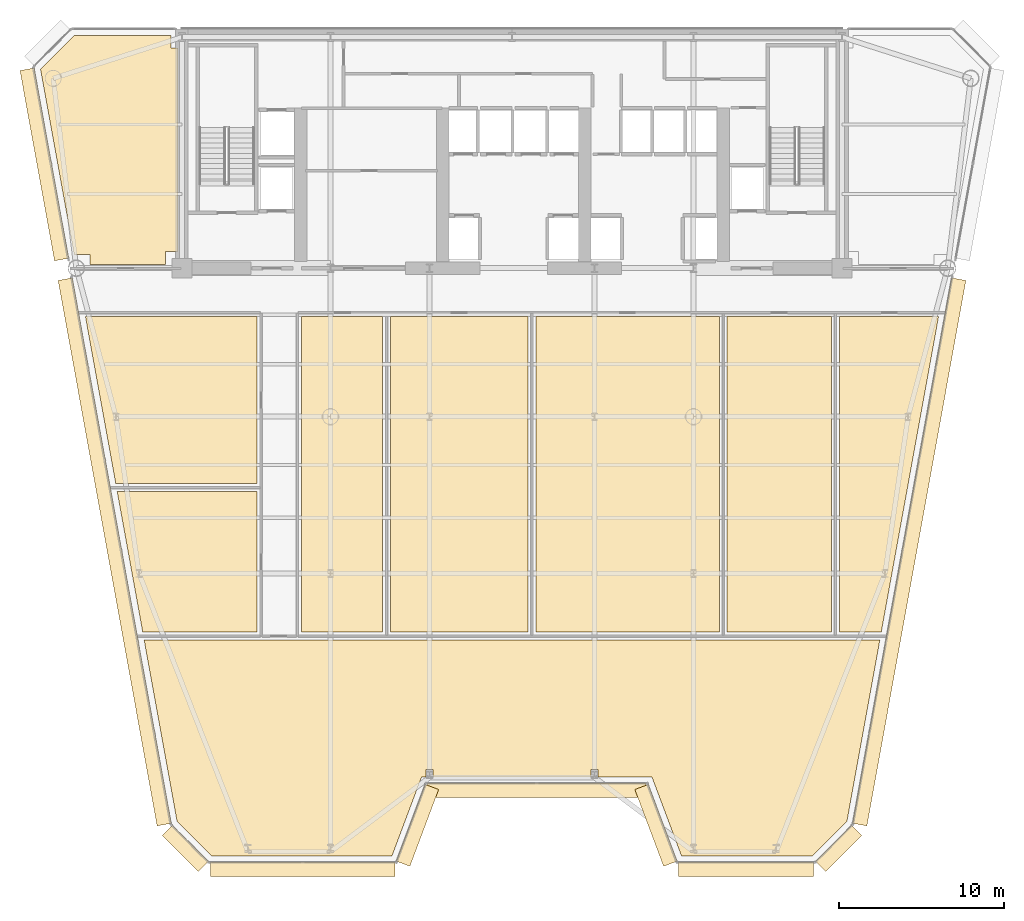
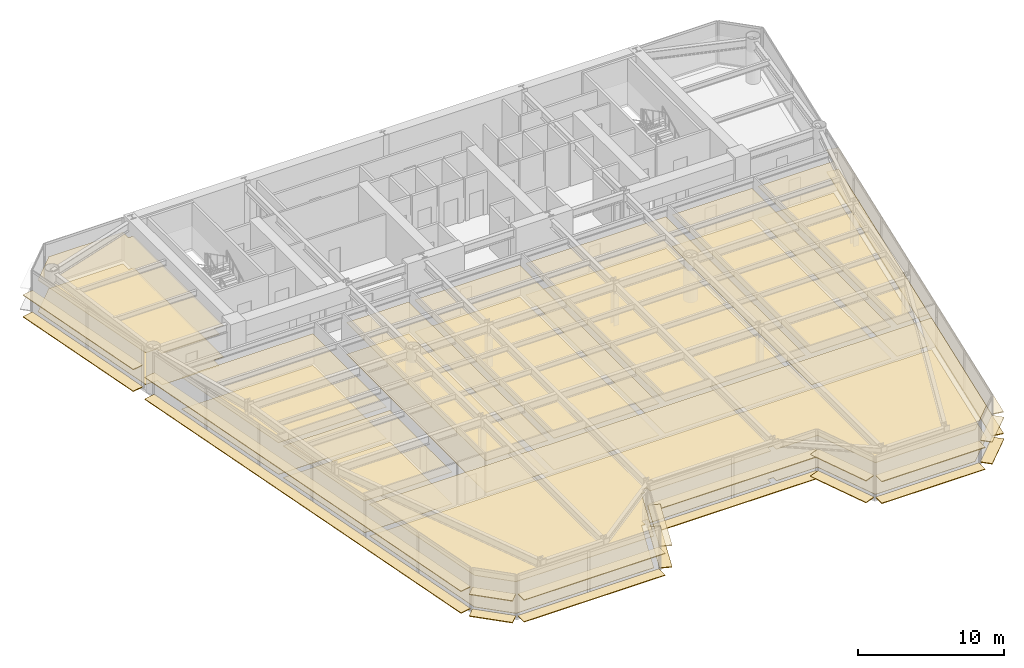
# One storey, part 11 of 14: 38 coverings.
"""IFC4 building model written with IfcOpenShell, lengths in metres."""

from ifc_helpers import new_model, si_unit, direction, frame, origin, origin_2d, place, context, subcontext, project, spatial, polyline, rectangle, outline, extrude, source, transform, mapped, material, layer, layer_set, type_object, element, save


model = new_model("IFC4")

# Units and contexts
model_context = context("Model", 3, precision=1e-05, world=origin(), true_north=direction((0.0, 1.0)))
body_context = subcontext(model_context, "Body", "Model", "MODEL_VIEW")
ifc_project = project(units=[si_unit("LENGTHUNIT", "METRE"), si_unit("AREAUNIT", "SQUARE_METRE"), si_unit("VOLUMEUNIT", "CUBIC_METRE"), si_unit("PLANEANGLEUNIT", "RADIAN"), si_unit("MASSUNIT", "GRAM", prefix="KILO")], contexts=[model_context])

# Site, building, storey
site_placement = place(None, origin())
site = spatial("IfcSite", under=ifc_project, at=site_placement, CompositionType="ELEMENT")
building_placement = place(site_placement, origin())
building = spatial("IfcBuilding", under=site, at=building_placement, Name="Vaeldorn Concourse Tower", CompositionType="ELEMENT")
storey_placement = place(building_placement, frame((0.0, 0.0, 137.60009765625)))
storey = spatial("IfcBuildingStorey", under=building, at=storey_placement, Name="L35", CompositionType="ELEMENT", Elevation=137.60009765625)

# Coverings
ifc_material_1 = material(Name="Acoustic Mineral Fibre Board", Category="gypsum")
ifc_layer_1 = layer(ifc_material_1, 0.0400390625)
ifc_layer_set_1 = layer_set([ifc_layer_1], Name="Acoustic Mineral Fibre Board")
covering_type_1 = type_object("IfcCoveringType", Name="COV-CEIL-ACOUSTIC", PredefinedType="CEILING", material=ifc_layer_set_1)
covering_1_placement = place(storey_placement, frame((0.0, 0.0, 2.64990234375)))
element("IfcCovering", 1, at=covering_1_placement, inside=storey, type_object=covering_type_1, Name="Suspended Acoustic Ceiling L35-3", PredefinedType="CEILING", context=body_context, shape_type="SweptSolid", body=[
    extrude(outline(polyline([(7.4658203125, 50.60009765625), (13.340087890625, 50.60009765625), (13.340087890625, 49.840087890625), (13.760009765625, 49.840087890625), (13.760009765625, 37.5), (13.0, 37.5), (13.0, 36.719970703125), (8.419921875, 36.719970703125), (8.419921875, 37.320068359375), (7.472412109375, 37.320068359375), (5.430908203125, 48.565185546875), (7.4658203125, 50.60009765625)])), origin(), (0.0, 0.0, 1.0), 0.0400390625),
])
covering_2_placement = place(storey_placement, frame((0.0, 0.0, 2.64990234375)))
element("IfcCovering", 2, at=covering_2_placement, inside=storey, type_object=covering_type_1, Name="Suspended Acoustic Ceiling L35-5", PredefinedType="CEILING", context=body_context, shape_type="SweptSolid", body=[
    extrude(outline(polyline([(56.287109375, 13.9599609375), (54.29248046875, 2.97265625), (52.1982421875, 0.878173828125), (44.277099609375, 0.878173828125), (42.477294921875, 5.67822265625), (39.2119140625, 5.67822265625), (39.2119140625, 6.115234375), (38.7880859375, 6.115234375), (38.7880859375, 5.67822265625), (29.2119140625, 5.67822265625), (29.2119140625, 6.115234375), (28.7880859375, 6.115234375), (28.7880859375, 5.67822265625), (28.522705078125, 5.67822265625), (26.722900390625, 0.878173828125), (15.8017578125, 0.878173828125), (13.70751953125, 2.97265625), (11.712890625, 13.9599609375), (56.287109375, 13.9599609375)])), origin(), (0.0, 0.0, 1.0), 0.0400390625),
])
covering_3_placement = place(storey_placement, frame((0.0, 0.0, 2.64990234375)))
element("IfcCovering", 3, at=covering_3_placement, inside=storey, type_object=covering_type_1, Name="Suspended Acoustic Ceiling L35-6", PredefinedType="CEILING", context=body_context, shape_type="SweptSolid", body=[
    extrude(outline(polyline([(18.56005859375, 22.9599609375), (18.56005859375, 14.43994140625), (11.625732421875, 14.43994140625), (10.0791015625, 22.9599609375), (18.56005859375, 22.9599609375)])), origin(), (0.0, 0.0, 1.0), 0.0400390625),
])
covering_4_placement = place(storey_placement, frame((0.0, 0.0, 2.64990234375)))
element("IfcCovering", 4, at=covering_4_placement, inside=storey, type_object=covering_type_1, Name="Suspended Acoustic Ceiling L35-7", PredefinedType="CEILING", context=body_context, shape_type="SweptSolid", body=[
    extrude(outline(polyline([(18.56005859375, 33.56005859375), (18.56005859375, 23.43994140625), (9.991943359375, 23.43994140625), (8.15478515625, 33.56005859375), (18.56005859375, 33.56005859375)])), origin(), (0.0, 0.0, 1.0), 0.0400390625),
])
covering_5_placement = place(storey_placement, frame((0.0, 0.0, 2.64990234375)))
element("IfcCovering", 5, at=covering_5_placement, inside=storey, type_object=covering_type_1, Name="Suspended Acoustic Ceiling L35-8", PredefinedType="CEILING", context=body_context, shape_type="SweptSolid", body=[
    extrude(outline(polyline([(21.239990234375, 33.56005859375), (26.159912109375, 33.56005859375), (26.159912109375, 14.43994140625), (21.239990234375, 14.43994140625), (21.239990234375, 33.56005859375)])), origin(), (0.0, 0.0, 1.0), 0.0400390625),
])
covering_6_placement = place(storey_placement, frame((0.0, 0.0, 2.64990234375)))
element("IfcCovering", 6, at=covering_6_placement, inside=storey, type_object=covering_type_1, Name="Suspended Acoustic Ceiling L35-9", PredefinedType="CEILING", context=body_context, shape_type="SweptSolid", body=[
    extrude(outline(polyline([(26.639892578125, 33.56005859375), (34.9599609375, 33.56005859375), (34.9599609375, 14.43994140625), (26.639892578125, 14.43994140625), (26.639892578125, 33.56005859375)])), origin(), (0.0, 0.0, 1.0), 0.0400390625),
])
covering_7_placement = place(storey_placement, frame((0.0, 0.0, 2.64990234375)))
element("IfcCovering", 7, at=covering_7_placement, inside=storey, type_object=covering_type_1, Name="Suspended Acoustic Ceiling L35-10", PredefinedType="CEILING", context=body_context, shape_type="SweptSolid", body=[
    extrude(outline(polyline([(35.43994140625, 33.56005859375), (46.56005859375, 33.56005859375), (46.56005859375, 14.43994140625), (35.43994140625, 14.43994140625), (35.43994140625, 33.56005859375)])), origin(), (0.0, 0.0, 1.0), 0.0400390625),
])
covering_8_placement = place(storey_placement, frame((0.0, 0.0, 2.64990234375)))
element("IfcCovering", 8, at=covering_8_placement, inside=storey, type_object=covering_type_1, Name="Suspended Acoustic Ceiling L35-11", PredefinedType="CEILING", context=body_context, shape_type="SweptSolid", body=[
    extrude(outline(polyline([(47.0400390625, 33.56005859375), (53.360107421875, 33.56005859375), (53.360107421875, 14.43994140625), (47.0400390625, 14.43994140625), (47.0400390625, 33.56005859375)])), origin(), (0.0, 0.0, 1.0), 0.0400390625),
])
covering_9_placement = place(storey_placement, frame((0.0, 0.0, 2.64990234375)))
element("IfcCovering", 9, at=covering_9_placement, inside=storey, type_object=covering_type_1, Name="Suspended Acoustic Ceiling L35-12", PredefinedType="CEILING", context=body_context, shape_type="SweptSolid", body=[
    extrude(outline(polyline([(53.840087890625, 14.43994140625), (53.840087890625, 33.56005859375), (59.84521484375, 33.56005859375), (56.374267578125, 14.43994140625), (53.840087890625, 14.43994140625)])), origin(), (0.0, 0.0, 1.0), 0.0400390625),
])
ifc_material_2 = material(Name="Honed Limestone Terrazzo Flooring", Category="masonry")
ifc_layer_2 = layer(ifc_material_2, 0.0400390625)
ifc_layer_set_2 = layer_set([ifc_layer_2], Name="Honed Limestone Terrazzo Flooring")
covering_type_2 = type_object("IfcCoveringType", Name="COV-FLOOR-STONE", PredefinedType="FLOORING", material=ifc_layer_set_2)
covering_10_placement = place(storey_placement, origin())
element("IfcCovering", 10, at=covering_10_placement, inside=storey, type_object=covering_type_2, Name="Floor Finish Covering L35-3", PredefinedType="FLOORING", context=body_context, shape_type="SweptSolid", body=[
    extrude(outline(polyline([(7.4658203125, 50.60009765625), (13.340087890625, 50.60009765625), (13.340087890625, 49.840087890625), (13.760009765625, 49.840087890625), (13.760009765625, 37.5), (13.0, 37.5), (13.0, 36.719970703125), (8.419921875, 36.719970703125), (8.419921875, 37.320068359375), (7.472412109375, 37.320068359375), (5.430908203125, 48.565185546875), (7.4658203125, 50.60009765625)])), origin(), (0.0, 0.0, 1.0), 0.02978515625),
])
covering_11_placement = place(storey_placement, origin())
element("IfcCovering", 11, at=covering_11_placement, inside=storey, type_object=covering_type_2, Name="Floor Finish Covering L35-5", PredefinedType="FLOORING", context=body_context, shape_type="SweptSolid", body=[
    extrude(outline(polyline([(56.287109375, 13.9599609375), (54.29248046875, 2.97265625), (52.1982421875, 0.878173828125), (44.277099609375, 0.878173828125), (42.477294921875, 5.67822265625), (39.2119140625, 5.67822265625), (39.2119140625, 6.115234375), (38.7880859375, 6.115234375), (38.7880859375, 5.67822265625), (29.2119140625, 5.67822265625), (29.2119140625, 6.115234375), (28.7880859375, 6.115234375), (28.7880859375, 5.67822265625), (28.522705078125, 5.67822265625), (26.722900390625, 0.878173828125), (15.8017578125, 0.878173828125), (13.70751953125, 2.97265625), (11.712890625, 13.9599609375), (56.287109375, 13.9599609375)])), origin(), (0.0, 0.0, 1.0), 0.02978515625),
])
covering_12_placement = place(storey_placement, origin())
element("IfcCovering", 12, at=covering_12_placement, inside=storey, type_object=covering_type_2, Name="Floor Finish Covering L35-6", PredefinedType="FLOORING", context=body_context, shape_type="SweptSolid", body=[
    extrude(outline(polyline([(18.56005859375, 22.9599609375), (18.56005859375, 14.43994140625), (11.625732421875, 14.43994140625), (10.0791015625, 22.9599609375), (18.56005859375, 22.9599609375)])), origin(), (0.0, 0.0, 1.0), 0.02978515625),
])
covering_13_placement = place(storey_placement, origin())
element("IfcCovering", 13, at=covering_13_placement, inside=storey, type_object=covering_type_2, Name="Floor Finish Covering L35-7", PredefinedType="FLOORING", context=body_context, shape_type="SweptSolid", body=[
    extrude(outline(polyline([(18.56005859375, 33.56005859375), (18.56005859375, 23.43994140625), (9.991943359375, 23.43994140625), (8.15478515625, 33.56005859375), (18.56005859375, 33.56005859375)])), origin(), (0.0, 0.0, 1.0), 0.02978515625),
])
covering_14_placement = place(storey_placement, origin())
element("IfcCovering", 14, at=covering_14_placement, inside=storey, type_object=covering_type_2, Name="Floor Finish Covering L35-8", PredefinedType="FLOORING", context=body_context, shape_type="SweptSolid", body=[
    extrude(outline(polyline([(21.239990234375, 33.56005859375), (26.159912109375, 33.56005859375), (26.159912109375, 14.43994140625), (21.239990234375, 14.43994140625), (21.239990234375, 33.56005859375)])), origin(), (0.0, 0.0, 1.0), 0.02978515625),
])
covering_15_placement = place(storey_placement, origin())
element("IfcCovering", 15, at=covering_15_placement, inside=storey, type_object=covering_type_2, Name="Floor Finish Covering L35-9", PredefinedType="FLOORING", context=body_context, shape_type="SweptSolid", body=[
    extrude(outline(polyline([(26.639892578125, 33.56005859375), (34.9599609375, 33.56005859375), (34.9599609375, 14.43994140625), (26.639892578125, 14.43994140625), (26.639892578125, 33.56005859375)])), origin(), (0.0, 0.0, 1.0), 0.02978515625),
])
covering_16_placement = place(storey_placement, origin())
element("IfcCovering", 16, at=covering_16_placement, inside=storey, type_object=covering_type_2, Name="Floor Finish Covering L35-10", PredefinedType="FLOORING", context=body_context, shape_type="SweptSolid", body=[
    extrude(outline(polyline([(35.43994140625, 33.56005859375), (46.56005859375, 33.56005859375), (46.56005859375, 14.43994140625), (35.43994140625, 14.43994140625), (35.43994140625, 33.56005859375)])), origin(), (0.0, 0.0, 1.0), 0.02978515625),
])
covering_17_placement = place(storey_placement, origin())
element("IfcCovering", 17, at=covering_17_placement, inside=storey, type_object=covering_type_2, Name="Floor Finish Covering L35-11", PredefinedType="FLOORING", context=body_context, shape_type="SweptSolid", body=[
    extrude(outline(polyline([(47.0400390625, 33.56005859375), (53.360107421875, 33.56005859375), (53.360107421875, 14.43994140625), (47.0400390625, 14.43994140625), (47.0400390625, 33.56005859375)])), origin(), (0.0, 0.0, 1.0), 0.02978515625),
])
covering_18_placement = place(storey_placement, origin())
element("IfcCovering", 18, at=covering_18_placement, inside=storey, type_object=covering_type_2, Name="Floor Finish Covering L35-12", PredefinedType="FLOORING", context=body_context, shape_type="SweptSolid", body=[
    extrude(outline(polyline([(53.840087890625, 14.43994140625), (53.840087890625, 33.56005859375), (59.84521484375, 33.56005859375), (56.374267578125, 14.43994140625), (53.840087890625, 14.43994140625)])), origin(), (0.0, 0.0, 1.0), 0.02978515625),
])
ifc_material_3 = material(Name="Anodised Bronze Aluminium", Category="aluminium")
ifc_layer_3 = layer(ifc_material_3, 0.06494140625)
ifc_layer_set_3 = layer_set([ifc_layer_3], Name="Anodised Bronze Aluminium")
covering_type_3 = type_object("IfcCoveringType", Name="SD-BRONZE-SUNSHADE", PredefinedType="USERDEFINED", material=ifc_layer_set_3)
shared_shape_1 = source(origin(), body_context, "Body", "SweptSolid", [
    extrude(rectangle(XDim=4.96630859375, YDim=0.8798828125, at=origin_2d()), origin(), (0.0, 0.0, 1.0), 0.06494140625),
])
for number, where, z_axis, x_axis, name in (
    (19, (28.2744140625, 2.73779296875, 0.04736328125), (0.0, 0.0, 1.0), (0.351122702609, 0.936329454686, 0.0), "Horizontal Bronze Sunshade L35-E02.1.1"),
    (20, (28.2744140625, 2.73779296875, 1.867431640625), (0.0, 0.0, 1.0), (0.351122702609, 0.936329454686, 0.0), "Horizontal Bronze Sunshade L35-E02.1.2"),
    (21, (42.7255859375, 2.73779296875, 0.04736328125), (0.0, 0.0, 1.0), (0.351122702609, -0.936329454686, 0.0), "Horizontal Bronze Sunshade L35-E04.1.1"),
    (22, (42.7255859375, 2.73779296875, 1.867431640625), (0.0, 0.0, 1.0), (0.351122702609, -0.936329454686, 0.0), "Horizontal Bronze Sunshade L35-E04.1.2"),
):
    element("IfcCovering", number, at=place(storey_placement, frame(where, z_axis=z_axis, x_axis=x_axis)), inside=storey, type_object=covering_type_3, Name=name, ObjectType="SUNSHADE", PredefinedType="USERDEFINED", context=body_context, shape_type="MappedRepresentation", body=[
        mapped(shared_shape_1, transform((0.0, 0.0, 0.0), scale=1.0)),
    ])
shared_shape_2 = source(origin(), body_context, "Body", "SweptSolid", [
    extrude(rectangle(XDim=13.239990234375, YDim=0.8798828125, at=origin_2d()), origin(), (0.0, 0.0, 1.0), 0.06494140625),
])
for number, where, z_axis, x_axis, name in (
    (23, (35.5, 4.878173828125, 0.04736328125), (0.0, 0.0, 1.0), (1.0, 0.0, 0.0), "Horizontal Bronze Sunshade L35-E03.1.1"),
    (24, (35.5, 4.878173828125, 1.867431640625), (0.0, 0.0, 1.0), (1.0, 0.0, 0.0), "Horizontal Bronze Sunshade L35-E03.1.2"),
):
    element("IfcCovering", number, at=place(storey_placement, frame(where, z_axis=z_axis, x_axis=x_axis)), inside=storey, type_object=covering_type_3, Name=name, ObjectType="SUNSHADE", PredefinedType="USERDEFINED", context=body_context, shape_type="MappedRepresentation", body=[
        mapped(shared_shape_2, transform((0.0, 0.0, 0.0), scale=1.0)),
    ])
shared_shape_3 = source(origin(), body_context, "Body", "SweptSolid", [
    extrude(rectangle(XDim=3.0927734375, YDim=0.8798828125, at=origin_2d()), origin(), (0.0, 0.0, 1.0), 0.06494140625),
])
for number, where, z_axis, x_axis, name in (
    (25, (53.796630859375, 1.345458984375, 0.04736328125), (0.0, 0.0, 1.0), (0.707106781187, 0.707106781187, 0.0), "Horizontal Bronze Sunshade L35-E06.1.1"),
    (26, (53.796630859375, 1.345458984375, 1.867431640625), (0.0, 0.0, 1.0), (0.707106781187, 0.707106781187, 0.0), "Horizontal Bronze Sunshade L35-E06.1.2"),
    (27, (14.203369140625, 1.345458984375, 0.04736328125), (0.0, 0.0, 1.0), (0.707106781187, -0.707106781187, 0.0), "Horizontal Bronze Sunshade L35-E12.1.1"),
    (28, (14.203369140625, 1.345458984375, 1.867431640625), (0.0, 0.0, 1.0), (0.707106781187, -0.707106781187, 0.0), "Horizontal Bronze Sunshade L35-E12.1.2"),
):
    element("IfcCovering", number, at=place(storey_placement, frame(where, z_axis=z_axis, x_axis=x_axis)), inside=storey, type_object=covering_type_3, Name=name, ObjectType="SUNSHADE", PredefinedType="USERDEFINED", context=body_context, shape_type="MappedRepresentation", body=[
        mapped(shared_shape_3, transform((0.0, 0.0, 0.0), scale=1.0)),
    ])
shared_shape_4 = source(origin(), body_context, "Body", "SweptSolid", [
    extrude(rectangle(XDim=11.203857421875, YDim=0.8798828125, at=origin_2d()), origin(), (0.0, 0.0, 1.0), 0.06494140625),
])
for number, where, z_axis, x_axis, name in (
    (29, (21.318115234375, 0.078125, 0.04736328125), (0.0, 0.0, 1.0), (1.0, 0.0, 0.0), "Horizontal Bronze Sunshade L35-E01.1.1"),
    (30, (21.318115234375, 0.078125, 1.867431640625), (0.0, 0.0, 1.0), (1.0, 0.0, 0.0), "Horizontal Bronze Sunshade L35-E01.1.2"),
):
    element("IfcCovering", number, at=place(storey_placement, frame(where, z_axis=z_axis, x_axis=x_axis)), inside=storey, type_object=covering_type_3, Name=name, ObjectType="SUNSHADE", PredefinedType="USERDEFINED", context=body_context, shape_type="MappedRepresentation", body=[
        mapped(shared_shape_4, transform((0.0, 0.0, 0.0), scale=1.0)),
    ])
shared_shape_5 = source(origin(), body_context, "Body", "SweptSolid", [
    extrude(rectangle(XDim=8.203857421875, YDim=0.8798828125, at=origin_2d()), origin(), (0.0, 0.0, 1.0), 0.06494140625),
])
for number, where, z_axis, x_axis, name in (
    (31, (48.181884765625, 0.078125, 0.04736328125), (0.0, 0.0, 1.0), (1.0, 0.0, 0.0), "Horizontal Bronze Sunshade L35-E05.1.1"),
    (32, (48.181884765625, 0.078125, 1.867431640625), (0.0, 0.0, 1.0), (1.0, 0.0, 0.0), "Horizontal Bronze Sunshade L35-E05.1.2"),
):
    element("IfcCovering", number, at=place(storey_placement, frame(where, z_axis=z_axis, x_axis=x_axis)), inside=storey, type_object=covering_type_3, Name=name, ObjectType="SUNSHADE", PredefinedType="USERDEFINED", context=body_context, shape_type="MappedRepresentation", body=[
        mapped(shared_shape_5, transform((0.0, 0.0, 0.0), scale=1.0)),
    ])
shared_shape_6 = source(origin(), body_context, "Body", "SweptSolid", [
    extrude(rectangle(XDim=33.58642578125, YDim=0.8798828125, at=origin_2d()), origin(), (0.0, 0.0, 1.0), 0.06494140625),
])
for number, where, z_axis, x_axis, name in (
    (33, (58.0712890625, 19.30859375, 0.04736328125), (0.0, 0.0, 1.0), (0.178613319455, 0.983919347362, 0.0), "Horizontal Bronze Sunshade L35-E07.1.1"),
    (34, (58.0712890625, 19.30859375, 1.867431640625), (0.0, 0.0, 1.0), (0.178613319455, 0.983919347362, 0.0), "Horizontal Bronze Sunshade L35-E07.1.2"),
    (35, (9.9287109375, 19.30859375, 0.04736328125), (0.0, 0.0, 1.0), (0.178613319455, -0.983919347362, 0.0), "Horizontal Bronze Sunshade L35-E11.2.1"),
    (36, (9.9287109375, 19.30859375, 1.867431640625), (0.0, 0.0, 1.0), (0.178613319455, -0.983919347362, 0.0), "Horizontal Bronze Sunshade L35-E11.2.2"),
):
    element("IfcCovering", number, at=place(storey_placement, frame(where, z_axis=z_axis, x_axis=x_axis)), inside=storey, type_object=covering_type_3, Name=name, ObjectType="SUNSHADE", PredefinedType="USERDEFINED", context=body_context, shape_type="MappedRepresentation", body=[
        mapped(shared_shape_6, transform((0.0, 0.0, 0.0), scale=1.0)),
    ])
shared_shape_7 = source(origin(), body_context, "Body", "SweptSolid", [
    extrude(rectangle(XDim=11.712890625, YDim=0.8798828125, at=origin_2d()), origin(), (0.0, 0.0, 1.0), 0.06494140625),
])
for number, where, z_axis, x_axis, name in (
    (37, (5.666748046875, 42.78759765625, 0.04736328125), (0.0, 0.0, 1.0), (0.178613319455, -0.983919347362, 0.0), "Horizontal Bronze Sunshade L35-E11.1.1"),
    (38, (5.666748046875, 42.78759765625, 1.867431640625), (0.0, 0.0, 1.0), (0.178613319455, -0.983919347362, 0.0), "Horizontal Bronze Sunshade L35-E11.1.2"),
):
    element("IfcCovering", number, at=place(storey_placement, frame(where, z_axis=z_axis, x_axis=x_axis)), inside=storey, type_object=covering_type_3, Name=name, ObjectType="SUNSHADE", PredefinedType="USERDEFINED", context=body_context, shape_type="MappedRepresentation", body=[
        mapped(shared_shape_7, transform((0.0, 0.0, 0.0), scale=1.0)),
    ])

save(model, "model.ifc")
